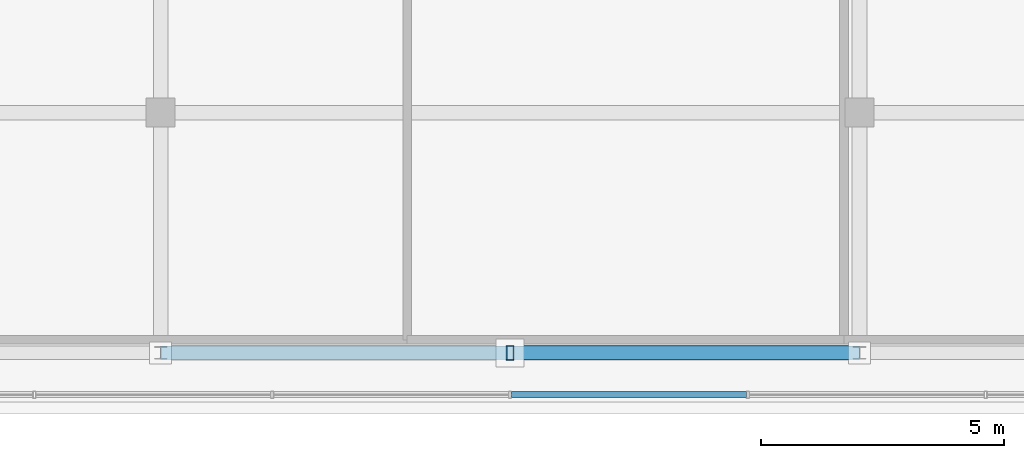
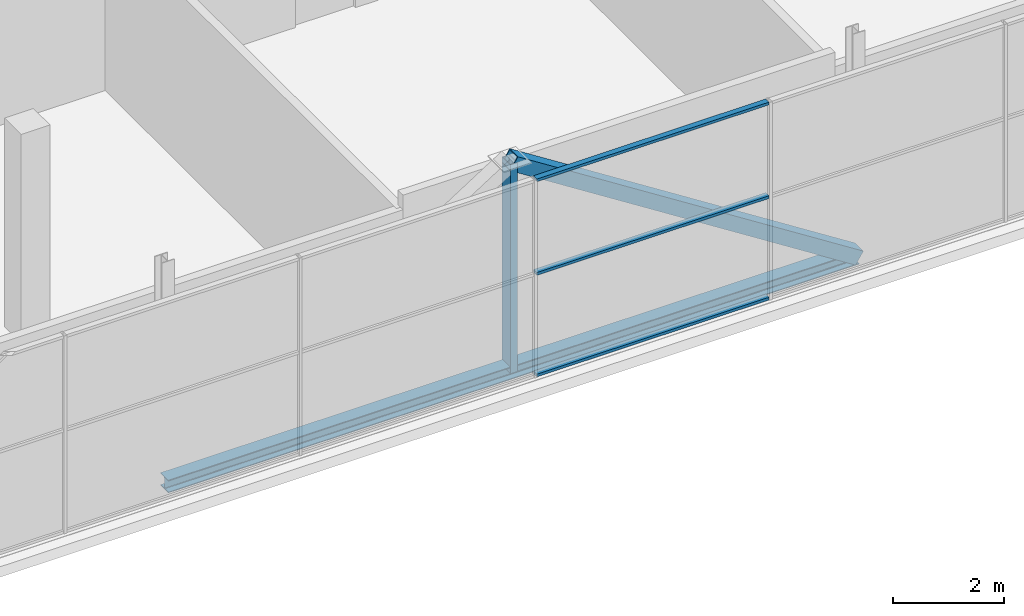
# One storey, part 8 of 27: 5 members, 1 beam, 1 element without a shape of its own.
"""IFC4 building model written with IfcOpenShell, lengths in metres."""

import ifcopenshell
import ifcopenshell.guid

model = None  # the IFC model being written
_history = None  # IfcOwnerHistory: only IFC2X3 demands one
_inside = {}  # id of a spatial element -> (the spatial element, [elements in it])
_under = {}  # id of a project, library or spatial element -> (it, [spatial elements below it])
_declared = {}  # id of a project -> (the project, [libraries it declares])
_typed = {}  # id of a type object -> (the type object, [elements of that type])
_made_of = {}  # id of a material, layer set ... -> (it, [elements and type objects made of it])


def new_model(schema):
    """Start an empty IFC model of exactly this schema.

    Asked for "IFC4X3", IfcOpenShell would pick the latest addendum, in which some entities
    have other attributes; the version numbers below select the first issue.
    IFC2X3 requires an IfcOwnerHistory on every rooted entity: one is made here for all.
    """
    global model, _history
    if schema == "IFC4X3":
        model = ifcopenshell.file(schema_version=(4, 3, 0, 0))
    else:
        model = ifcopenshell.file(schema=schema)
    _inside.clear()
    _under.clear()
    _declared.clear()
    _typed.clear()
    _made_of.clear()
    _history = None
    if model.schema == "IFC2X3":
        org = make("IfcOrganization", Name="unknown")
        user = make(
            "IfcPersonAndOrganization",
            ThePerson=make("IfcPerson", FamilyName="unknown"),
            TheOrganization=org,
        )
        app = make(
            "IfcApplication",
            ApplicationDeveloper=org,
            Version="unknown",
            ApplicationFullName="unknown",
            ApplicationIdentifier="unknown",
        )
        _history = make(
            "IfcOwnerHistory",
            OwningUser=user,
            OwningApplication=app,
            ChangeAction="ADDED",
            CreationDate=0,
        )
    return model


def make(cls, **values):
    """One entity of the class cls with the attributes given. An attribute that is None is left unset."""
    return model.create_entity(
        cls, **{name: value for name, value in values.items() if value is not None}
    )


def rooted(cls, **values):
    """An entity with a GlobalId (a new one), such as an element, a storey or a relation."""
    return make(cls, GlobalId=ifcopenshell.guid.new(), OwnerHistory=_history, **values)


def si_unit(unit_type, name, prefix=None):
    """IfcSIUnit, for example si_unit("LENGTHUNIT", "METRE", prefix="MILLI")."""
    return make("IfcSIUnit", UnitType=unit_type, Prefix=prefix, Name=name)


def assignment(units):
    """IfcUnitAssignment: the units of a project."""
    return None if units is None else make("IfcUnitAssignment", Units=units)


def point(xyz):
    """IfcCartesianPoint."""
    return None if xyz is None else make("IfcCartesianPoint", Coordinates=xyz)


def direction(xyz):
    """IfcDirection."""
    return None if xyz is None else make("IfcDirection", DirectionRatios=xyz)


def frame(location, z_axis=None, x_axis=None):
    """IfcAxis2Placement3D, a coordinate frame: its origin and axes. An axis left out is left unset."""
    return make(
        "IfcAxis2Placement3D",
        Location=point(location),
        Axis=direction(z_axis),
        RefDirection=direction(x_axis),
    )


def frame_2d(location, x_axis=None):
    """IfcAxis2Placement2D, a coordinate frame in the plane: its origin and x axis."""
    return make(
        "IfcAxis2Placement2D", Location=point(location), RefDirection=direction(x_axis)
    )


def origin():
    """The frame at (0, 0, 0) with its axes left unset."""
    return frame((0.0, 0.0, 0.0))


def origin_2d():
    """The frame at (0, 0) in the plane with its x axis left unset."""
    return frame_2d((0.0, 0.0))


def place(relative_to, where):
    """IfcLocalPlacement: puts the frame where relative to a parent placement (None: the world)."""
    return make(
        "IfcLocalPlacement", PlacementRelTo=relative_to, RelativePlacement=where
    )


def context(
    kind, dimensions, precision=None, world=None, true_north=None, identifier=None
):
    """IfcGeometricRepresentationContext, for example the 3D "Model" context."""
    return make(
        "IfcGeometricRepresentationContext",
        ContextIdentifier=identifier,
        ContextType=kind,
        CoordinateSpaceDimension=dimensions,
        Precision=precision,
        WorldCoordinateSystem=world,
        TrueNorth=true_north,
    )


def subcontext(parent, identifier, kind, view, scale=None):
    """IfcGeometricRepresentationSubContext, for example "Body" below "Model"."""
    return make(
        "IfcGeometricRepresentationSubContext",
        ContextIdentifier=identifier,
        ContextType=kind,
        ParentContext=parent,
        TargetScale=scale,
        TargetView=view,
    )


def project(units=None, contexts=None):
    """IfcProject with its units and contexts."""
    return rooted(
        "IfcProject",
        Name="project",
        RepresentationContexts=contexts,
        UnitsInContext=assignment(units),
    )


def spatial(cls, under=None, at=None, **own):
    """A site, building, storey or space (cls), placed at a placement, below another one or the project."""
    s = rooted(cls, ObjectPlacement=at, **own)
    if under is not None:
        _under.setdefault(under.id(), (under, []))[1].append(s)
    return s


def profile(cls, at=None, kind="AREA", **sizes):
    """A parametric profile (cls). Its sizes go by their IFC names, for example OverallWidth=200.0."""
    return make(cls, ProfileType=kind, Position=at, **sizes)


def hollow_rectangle(**sizes):
    """IfcRectangleHollowProfileDef."""
    return profile("IfcRectangleHollowProfileDef", **sizes)


def i_section(**sizes):
    """IfcIShapeProfileDef."""
    return profile("IfcIShapeProfileDef", **sizes)


def extrude(swept, where, along, depth):
    """IfcExtrudedAreaSolid: the profile swept, set in the frame where, extruded along a direction by depth."""
    return make(
        "IfcExtrudedAreaSolid",
        SweptArea=swept,
        Position=where,
        ExtrudedDirection=direction(along),
        Depth=depth,
    )


def shape(context_of_items, identifier, shape_type, items):
    """IfcShapeRepresentation: the items that make up one representation, for example the "Body"."""
    return make(
        "IfcShapeRepresentation",
        ContextOfItems=context_of_items,
        RepresentationIdentifier=identifier,
        RepresentationType=shape_type,
        Items=items,
    )


def source(mapping_origin, context_of_items, identifier, shape_type, items):
    """IfcRepresentationMap: a shape defined once, which mapped items show again and again."""
    return make(
        "IfcRepresentationMap",
        MappingOrigin=mapping_origin,
        MappedRepresentation=shape(context_of_items, identifier, shape_type, items),
    )


def transform(
    local_origin,
    x_axis=None,
    y_axis=None,
    z_axis=None,
    scale=None,
    scale2=None,
    scale3=None,
    uniform=True,
):
    """IfcCartesianTransformationOperator3D, or its non-uniform kind. x_axis, y_axis, z_axis: its Axis1, 2, 3."""
    if uniform:
        return make(
            "IfcCartesianTransformationOperator3D",
            Axis1=direction(x_axis),
            Axis2=direction(y_axis),
            LocalOrigin=point(local_origin),
            Scale=scale,
            Axis3=direction(z_axis),
        )
    return make(
        "IfcCartesianTransformationOperator3DnonUniform",
        Axis1=direction(x_axis),
        Axis2=direction(y_axis),
        LocalOrigin=point(local_origin),
        Scale=scale,
        Axis3=direction(z_axis),
        Scale2=scale2,
        Scale3=scale3,
    )


def mapped(mapping_source, mapping_target):
    """IfcMappedItem: shows the shape of a source again, moved by a transform."""
    return make(
        "IfcMappedItem", MappingSource=mapping_source, MappingTarget=mapping_target
    )


def material(Name=None, Category=None):
    """IfcMaterial."""
    return make("IfcMaterial", Name=Name, Category=Category)


def layer(
    of_material, thickness, ventilated=None, Name=None, Category=None, Priority=None
):
    """IfcMaterialLayer: one layer of a wall or slab, of a material (None: an air gap)."""
    return make(
        "IfcMaterialLayer",
        Material=of_material,
        LayerThickness=thickness,
        IsVentilated=ventilated,
        Name=Name,
        Category=Category,
        Priority=Priority,
    )


def layer_set(layers, Name=None):
    """IfcMaterialLayerSet."""
    return make("IfcMaterialLayerSet", MaterialLayers=layers, LayerSetName=Name)


def material_profile(
    of_material, cross_section, Name=None, Category=None, Priority=None
):
    """IfcMaterialProfile: a cross section and its material."""
    return make(
        "IfcMaterialProfile",
        Name=Name,
        Material=of_material,
        Profile=cross_section,
        Priority=Priority,
        Category=Category,
    )


def profile_set(profiles, Name=None, composite=None):
    """IfcMaterialProfileSet."""
    return make(
        "IfcMaterialProfileSet",
        Name=Name,
        MaterialProfiles=profiles,
        CompositeProfile=composite,
    )


def made_of(thing, what):
    """Note that an element or type object is made of a material, layer set ...; save() writes the relation."""
    if what is not None:
        _made_of.setdefault(what.id(), (what, []))[1].append(thing)
    return thing


def type_object(cls, material=None, **own):
    """A type object (cls), such as IfcWallType, which elements share."""
    return made_of(rooted(cls, **own), material)


def element(
    cls,
    number,
    at=None,
    inside=None,
    cuts=None,
    type_object=None,
    material=None,
    context=None,
    identifier="Body",
    shape_type=None,
    held_by="IfcProductDefinitionShape",
    body=None,
    shapes=None,
    **own,
):
    """One element of the class cls, such as IfcWall. Its Tag is "e" and its number.

    at: its placement. inside: the storey or other place that contains it. cuts: it is an
    opening in that element (IfcRelVoidsElement). A single representation is given by context,
    identifier, shape_type and body (its items); several are given by shapes. held_by: the class
    of the entity that holds the representations. save() writes the other relations.
    """
    e = rooted(cls, Tag="e%d" % number, ObjectPlacement=at, **own)
    if body is not None:
        shapes = [shape(context, identifier, shape_type, body)]
    if shapes is not None:
        e.Representation = make(held_by, Representations=shapes)
    if inside is not None:
        _inside.setdefault(inside.id(), (inside, []))[1].append(e)
    if cuts is not None:
        rooted(
            "IfcRelVoidsElement", RelatingBuildingElement=cuts, RelatedOpeningElement=e
        )
    if type_object is not None:
        _typed.setdefault(type_object.id(), (type_object, []))[1].append(e)
    return made_of(e, material)


def aggregate(whole, parts):
    """IfcRelAggregates: a whole, such as a stair, and the parts it consists of."""
    return rooted("IfcRelAggregates", RelatingObject=whole, RelatedObjects=parts)


def save(model, path):
    """Write the relations noted so far, then the file.

    IfcRelAggregates (storeys below a building ...), IfcRelContainedInSpatialStructure (elements
    in a storey), IfcRelDefinesByType, IfcRelAssociatesMaterial and IfcRelDeclares: one each for
    every whole, place, type object, material and project.
    """
    for whole, parts in _under.values():
        aggregate(whole, parts)
    for where, things in _inside.values():
        rooted(
            "IfcRelContainedInSpatialStructure",
            RelatedElements=things,
            RelatingStructure=where,
        )
    for kind, things in _typed.values():
        rooted("IfcRelDefinesByType", RelatedObjects=things, RelatingType=kind)
    for what, things in _made_of.values():
        rooted("IfcRelAssociatesMaterial", RelatedObjects=things, RelatingMaterial=what)
    for by, libraries in _declared.values():
        rooted("IfcRelDeclares", RelatingContext=by, RelatedDefinitions=libraries)
    model.write(path)


model = new_model("IFC4")

# Units and contexts
model_context = context("Model", 3, precision=1e-05, world=origin(), true_north=direction((0.0, 1.0)))
body_context = subcontext(model_context, "Body", "Model", "MODEL_VIEW")
ifc_project = project(units=[si_unit("LENGTHUNIT", "METRE"), si_unit("AREAUNIT", "SQUARE_METRE"), si_unit("VOLUMEUNIT", "CUBIC_METRE"), si_unit("PLANEANGLEUNIT", "RADIAN"), si_unit("MASSUNIT", "GRAM", prefix="KILO")], contexts=[model_context])

# Site, building, storey
site_placement = place(None, origin())
site = spatial("IfcSite", under=ifc_project, at=site_placement, CompositionType="ELEMENT")
building_placement = place(site_placement, origin())
building = spatial("IfcBuilding", under=site, at=building_placement, Name="Zarnakvel Exchange Tower", CompositionType="ELEMENT")
storey_placement = place(building_placement, frame((0.0, 0.0, 294.60009765625)))
storey = spatial("IfcBuildingStorey", under=building, at=storey_placement, Name="Crown L82", CompositionType="ELEMENT", Elevation=294.60009765625)

# Beam
ifc_material_1 = material(Name="Steel S355", Category="steel")
ifc_material_profile_1 = material_profile(ifc_material_1, i_section(OverallWidth=0.280029296875, OverallDepth=0.280029296875, WebThickness=0.010498046875, FlangeThickness=0.01806640625, FilletRadius=0.02392578125, at=origin_2d()))
ifc_profile_set_1 = profile_set([ifc_material_profile_1], Name="Steel S355")
beam_type = type_object("IfcBeamType", Name="SP-04", PredefinedType="SPANDREL", material=ifc_profile_set_1)
beam_placement = place(storey_placement, frame((-7.199951171875, -14.550048828125, -0.360107421875), z_axis=(1.0, 0.0, 0.0), x_axis=(0.0, 1.0, 0.0)))
element("IfcBeam", 1, at=beam_placement, inside=storey, type_object=beam_type, Name="Crown L82 Tower E-W Frame Beam", PredefinedType="SPANDREL", context=body_context, shape_type="SweptSolid", body=[
    extrude(i_section(OverallWidth=0.280029296875, OverallDepth=0.280029296875, WebThickness=0.010498046875, FlangeThickness=0.01806640625, FilletRadius=0.02392578125, at=origin_2d()), origin(), (0.0, 0.0, 1.0), 14.39990234375),
])

# Members
ifc_material_profile_2 = material_profile(ifc_material_1, hollow_rectangle(XDim=0.300048828125, YDim=0.300048828125, WallThickness=0.01611328125, at=origin_2d()))
ifc_profile_set_2 = profile_set([ifc_material_profile_2], Name="Steel S355")
member_type_1 = type_object("IfcMemberType", Name="CB-BR2", PredefinedType="BRACE", material=ifc_profile_set_2)
shared_shape_1 = source(origin(), body_context, "Body", "SweptSolid", [
    extrude(hollow_rectangle(XDim=0.300048828125, YDim=0.300048828125, WallThickness=0.01611328125, at=origin_2d()), origin(), (0.0, 0.0, 1.0), 8.5439453125),
])
member_1_placement = place(storey_placement, frame((7.199951171875, -14.550048828125, -0.360107421875), z_axis=(-0.842689417531, 0.0, 0.53839998661), x_axis=(0.0, -1.0, 0.0)))
element("IfcMember", 2, at=member_1_placement, inside=storey, type_object=member_type_1, Name="Crown L82 Crown Chevron Brace R (CB-BR2)", PredefinedType="BRACE", context=body_context, shape_type="MappedRepresentation", body=[
    mapped(shared_shape_1, transform((0.0, 0.0, 0.0), x_axis=(1.0, 0.0, 0.0), y_axis=(0.0, 1.0, 0.0), z_axis=(0.0, 0.0, 1.0), scale=1.0)),
])
ifc_material_profile_3 = material_profile(ifc_material_1, hollow_rectangle(XDim=0.14990234375, YDim=0.300048828125, WallThickness=0.012451171875, at=origin_2d()))
ifc_profile_set_3 = profile_set([ifc_material_profile_3], Name="Steel S355")
member_type_2 = type_object("IfcMemberType", Name="CB-ST2", PredefinedType="STRUT", material=ifc_profile_set_3)
shared_shape_2 = source(origin(), body_context, "Body", "SweptSolid", [
    extrude(hollow_rectangle(XDim=0.14990234375, YDim=0.300048828125, WallThickness=0.012451171875, at=origin_2d()), origin(), (0.0, 0.0, 1.0), 4.60009765625),
])
member_2_placement = place(storey_placement, frame((0.0, -14.550048828125, -0.360107421875), z_axis=(0.0, 0.0, 1.0), x_axis=(1.0, 0.0, 0.0)))
element("IfcMember", 3, at=member_2_placement, inside=storey, type_object=member_type_2, Name="Crown L82 Crown Frame Post (CB-ST2)", PredefinedType="STRUT", context=body_context, shape_type="MappedRepresentation", body=[
    mapped(shared_shape_2, transform((0.0, 0.0, 0.0), x_axis=(1.0, 0.0, 0.0), y_axis=(0.0, 1.0, 0.0), z_axis=(0.0, 0.0, 1.0), scale=1.0)),
])

# Curtain wall, members
ifc_material_2 = material(Name="Architectural Bronze Anodised Aluminium", Category="aluminium")
ifc_layer = layer(ifc_material_2, 0.14990234375)
ifc_layer_set = layer_set([ifc_layer], Name="Architectural Bronze Anodised Aluminium")
curtain_wall_type = type_object("IfcCurtainWallType", Name="CW-07", PredefinedType="NOTDEFINED", material=ifc_layer_set)
curtain_wall_placement = place(storey_placement, origin())
curtain_wall = element("IfcCurtainWall", 4, at=curtain_wall_placement, inside=storey, type_object=curtain_wall_type, Name="Crown L82 Curtain Wall CW-Crown L82-S (CW-07)", PredefinedType="NOTDEFINED")
ifc_material_profile_4 = material_profile(ifc_material_2, hollow_rectangle(XDim=0.1201171875, YDim=0.06005859375, WallThickness=0.00390625, at=origin_2d()))
ifc_profile_set_4 = profile_set([ifc_material_profile_4], Name="Architectural Bronze Anodised Aluminium")
member_type_3 = type_object("IfcMemberType", Name="CWT-07", PredefinedType="USERDEFINED", material=ifc_profile_set_4)
shared_shape_3 = source(origin(), body_context, "Body", "SweptSolid", [
    extrude(hollow_rectangle(XDim=0.1201171875, YDim=0.06005859375, WallThickness=0.00390625, at=origin_2d()), origin(), (0.0, 0.0, 1.0), 4.840087890625),
])
member_3_placement = place(storey_placement, frame((0.030029296875, -15.409912109375, 0.02978515625), z_axis=(1.0, 0.0, 0.0), x_axis=(0.0, 1.0, 0.0)))
member_3 = element("IfcMember", 5, at=member_3_placement, type_object=member_type_3, Name="CW-07 transom 4.1", ObjectType="TRANSOM", PredefinedType="USERDEFINED", context=body_context, shape_type="MappedRepresentation", body=[
    mapped(shared_shape_3, transform((0.0, 0.0, 0.0), x_axis=(1.0, 0.0, 0.0), y_axis=(0.0, 1.0, 0.0), z_axis=(0.0, 0.0, 1.0), scale=1.0)),
])
member_4_placement = place(storey_placement, frame((0.030029296875, -15.409912109375, 2.26708984375), z_axis=(1.0, 0.0, 0.0), x_axis=(0.0, 1.0, 0.0)))
member_4 = element("IfcMember", 6, at=member_4_placement, type_object=member_type_3, Name="CW-07 transom 4.2", ObjectType="TRANSOM", PredefinedType="USERDEFINED", context=body_context, shape_type="MappedRepresentation", body=[
    mapped(shared_shape_3, transform((0.0, 0.0, 0.0), x_axis=(1.0, 0.0, 0.0), y_axis=(0.0, 1.0, 0.0), z_axis=(0.0, 0.0, 1.0), scale=1.0)),
])
member_5_placement = place(storey_placement, frame((0.030029296875, -15.409912109375, 4.329833984375), z_axis=(1.0, 0.0, 0.0), x_axis=(0.0, 1.0, 0.0)))
member_5 = element("IfcMember", 7, at=member_5_placement, type_object=member_type_3, Name="CW-07 transom 4.3", ObjectType="TRANSOM", PredefinedType="USERDEFINED", context=body_context, shape_type="MappedRepresentation", body=[
    mapped(shared_shape_3, transform((0.0, 0.0, 0.0), x_axis=(1.0, 0.0, 0.0), y_axis=(0.0, 1.0, 0.0), z_axis=(0.0, 0.0, 1.0), scale=1.0)),
])
aggregate(curtain_wall, [member_3, member_4, member_5])

save(model, "model.ifc")
